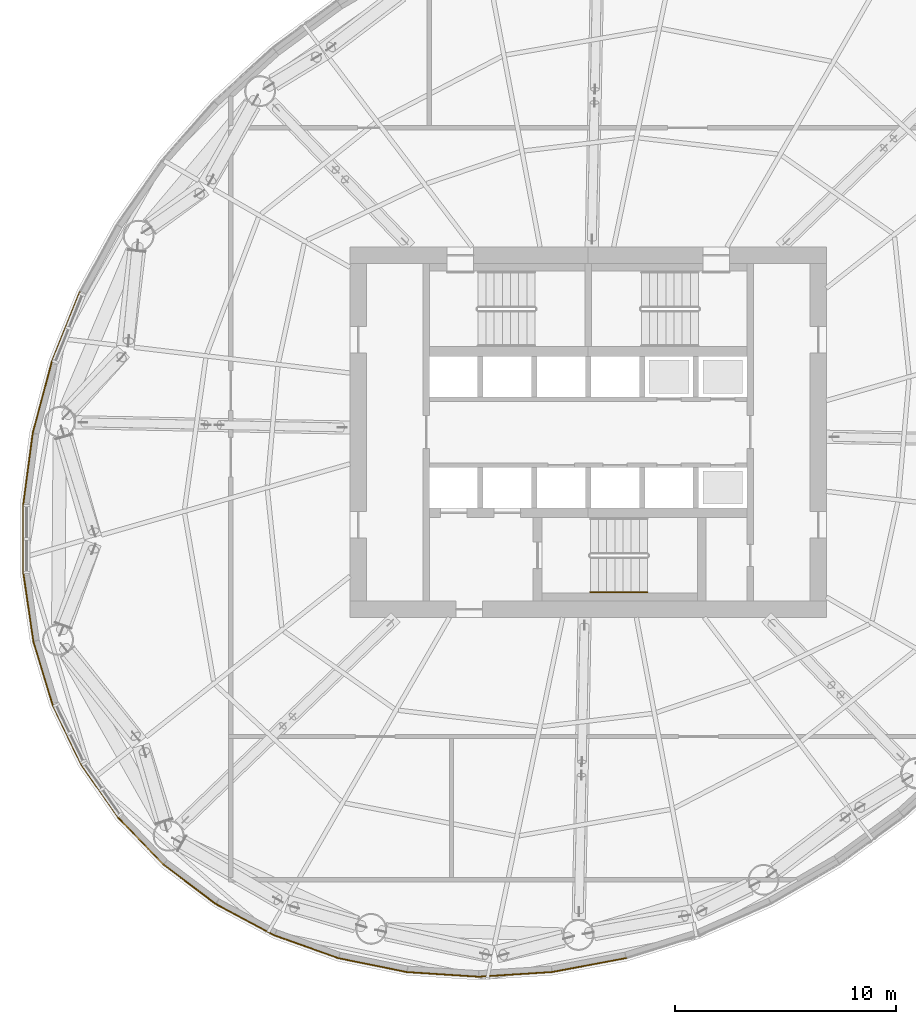
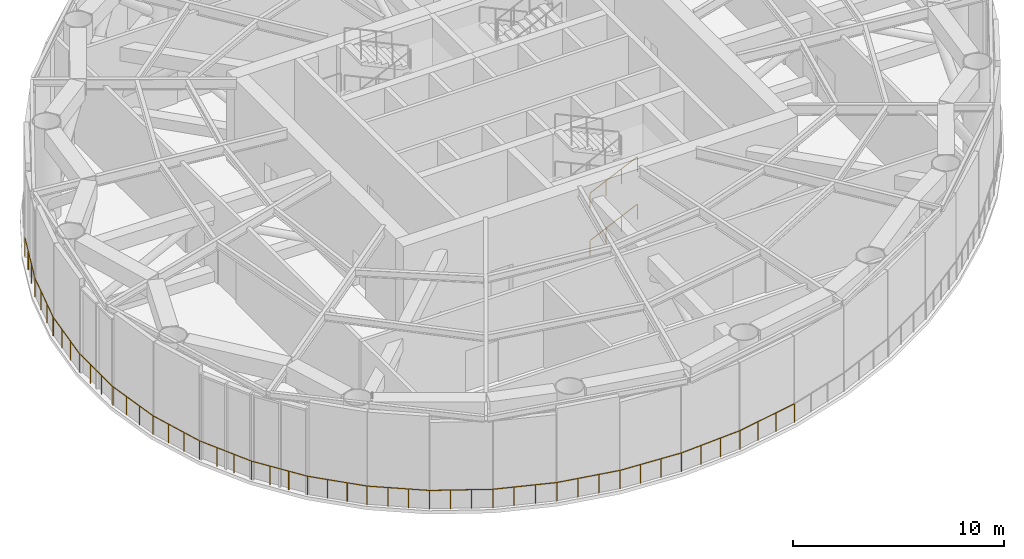
# One storey, part 16 of 19: 6 railings.
"""IFC4 building model written with IfcOpenShell, lengths in metres."""

from ifc_helpers import new_model, si_unit, direction, frame, origin, origin_2d, place, context, subcontext, project, spatial, circle, extrude, material, type_object, element, save


model = new_model("IFC4")

# Units and contexts
model_context = context("Model", 3, precision=1e-05, world=origin(), true_north=direction((0.0, 1.0)))
body_context = subcontext(model_context, "Body", "Model", "MODEL_VIEW")
ifc_project = project(units=[si_unit("LENGTHUNIT", "METRE"), si_unit("AREAUNIT", "SQUARE_METRE"), si_unit("VOLUMEUNIT", "CUBIC_METRE"), si_unit("PLANEANGLEUNIT", "RADIAN"), si_unit("MASSUNIT", "GRAM", prefix="KILO")], contexts=[model_context])

# Site, building, storey
site_placement = place(None, origin())
site = spatial("IfcSite", under=ifc_project, at=site_placement, CompositionType="ELEMENT")
building_placement = place(site_placement, origin())
building = spatial("IfcBuilding", under=site, at=building_placement, Name="Vermilion Reach Broadcast Tower", CompositionType="ELEMENT")
storey_placement = place(building_placement, frame((0.0, 0.0, 190.199951171875)))
storey = spatial("IfcBuildingStorey", under=building, at=storey_placement, Name="L46", CompositionType="ELEMENT", Elevation=190.199951171875)

# Railings
ifc_material_1 = material(Name="Steel guardrail with stainless infill", Category="steel")
railing_type_1 = type_object("IfcRailingType", Name="Open floor guardrail 1100", PredefinedType="GUARDRAIL", material=ifc_material_1)
railing_1_placement = place(storey_placement, frame((-29.050048828125, 6.35400390625, 0.0)))
element("IfcRailing", 1, at=railing_1_placement, inside=storey, type_object=railing_type_1, Name="sp.rail.L46.04", PredefinedType="GUARDRAIL", context=body_context, shape_type="SweptSolid", body=[
    extrude(circle(Radius=0.02490234375, at=origin_2d()), frame((0.0, 0.0, 1.0751953125), z_axis=(-0.373593773767, -0.927592417068, 0.0), x_axis=(0.927592417068, -0.373593773767, 0.0)), (0.0, 0.0, 1.0), 3.41845703125),
    extrude(circle(Radius=0.02490234375, at=origin_2d()), frame((-1.277099609375, -3.1708984375, 1.0751953125), z_axis=(-0.25779013436, -0.966200934913, 0.0), x_axis=(0.966200934913, -0.25779013436, 0.0)), (0.0, 0.0, 1.0), 3.33740234375),
    extrude(circle(Radius=0.02490234375, at=origin_2d()), frame((-2.137451171875, -6.3955078125, 1.0751953125), z_axis=(-0.131932545251, -0.991258696559, 0.0), x_axis=(0.991258696559, -0.131932545251, 0.0)), (0.0, 0.0, 1.0), 3.251220703125),
    extrude(circle(Radius=0.02490234375, at=origin_2d()), frame((-2.56640625, -9.618408203125, 1.0751953125), z_axis=(0.002853165438, -0.999995929715, 0.0), x_axis=(0.999995929715, 0.002853165438, 0.0)), (0.0, 0.0, 1.0), 3.166015625),
    extrude(circle(Radius=0.02490234375, at=origin_2d()), origin(), (0.0, 0.0, 1.0), 1.050048828125),
    extrude(circle(Radius=0.02490234375, at=origin_2d()), frame((-0.42578125, -1.056884765625, 0.0)), (0.0, 0.0, 1.0), 1.050048828125),
    extrude(circle(Radius=0.02490234375, at=origin_2d()), frame((-0.851318359375, -2.114013671875, 0.0)), (0.0, 0.0, 1.0), 1.050048828125),
    extrude(circle(Radius=0.02490234375, at=origin_2d()), frame((-1.277099609375, -3.1708984375, 0.0)), (0.0, 0.0, 1.0), 1.050048828125),
    extrude(circle(Radius=0.02490234375, at=origin_2d()), frame((-1.56396484375, -4.245849609375, 0.0)), (0.0, 0.0, 1.0), 1.050048828125),
    extrude(circle(Radius=0.02490234375, at=origin_2d()), frame((-1.8505859375, -5.320556640625, 0.0)), (0.0, 0.0, 1.0), 1.050048828125),
    extrude(circle(Radius=0.02490234375, at=origin_2d()), frame((-2.137451171875, -6.3955078125, 0.0)), (0.0, 0.0, 1.0), 1.050048828125),
    extrude(circle(Radius=0.02490234375, at=origin_2d()), frame((-2.280517578125, -7.4697265625, 0.0)), (0.0, 0.0, 1.0), 1.050048828125),
    extrude(circle(Radius=0.02490234375, at=origin_2d()), frame((-2.42333984375, -8.544189453125, 0.0)), (0.0, 0.0, 1.0), 1.050048828125),
    extrude(circle(Radius=0.02490234375, at=origin_2d()), frame((-2.56640625, -9.618408203125, 0.0)), (0.0, 0.0, 1.0), 1.050048828125),
    extrude(circle(Radius=0.02490234375, at=origin_2d()), frame((-2.5634765625, -10.673828125, 0.0)), (0.0, 0.0, 1.0), 1.050048828125),
    extrude(circle(Radius=0.02490234375, at=origin_2d()), frame((-2.560302734375, -11.72900390625, 0.0)), (0.0, 0.0, 1.0), 1.050048828125),
    extrude(circle(Radius=0.02490234375, at=origin_2d()), frame((-2.557373046875, -12.784423828125, 0.0)), (0.0, 0.0, 1.0), 1.050048828125),
])
railing_2_placement = place(storey_placement, frame((-31.607421875, -6.430419921875, 0.0)))
element("IfcRailing", 2, at=railing_2_placement, inside=storey, type_object=railing_type_1, Name="sp.rail.L46.05", PredefinedType="GUARDRAIL", context=body_context, shape_type="SweptSolid", body=[
    extrude(circle(Radius=0.02490234375, at=origin_2d()), frame((0.0, 0.0, 1.0751953125), z_axis=(0.144697222494, -0.989475979396, 0.0), x_axis=(0.989475979396, 0.144697222494, 0.0)), (0.0, 0.0, 1.0), 3.087646484375),
    extrude(circle(Radius=0.02490234375, at=origin_2d()), frame((0.44677734375, -3.05517578125, 1.0751953125), z_axis=(0.290052243045, -0.957010813055, 0.0), x_axis=(0.957010813055, 0.290052243045, 0.0)), (0.0, 0.0, 1.0), 3.021728515625),
    extrude(circle(Radius=0.02490234375, at=origin_2d()), frame((1.3232421875, -5.947021484375, 1.0751953125), z_axis=(0.433867442735, -0.900976715645, 0.0), x_axis=(0.900976715645, 0.433867442735, 0.0)), (0.0, 0.0, 1.0), 2.974365234375),
    extrude(circle(Radius=0.02490234375, at=origin_2d()), frame((2.61376953125, -8.626953125, 1.0751953125), z_axis=(0.57050903166, -0.821291327602, 0.0), x_axis=(0.821291327602, 0.57050903166, 0.0)), (0.0, 0.0, 1.0), 2.94970703125),
    extrude(circle(Radius=0.02490234375, at=origin_2d()), origin(), (0.0, 0.0, 1.0), 1.050048828125),
    extrude(circle(Radius=0.02490234375, at=origin_2d()), frame((0.14892578125, -1.018310546875, 0.0)), (0.0, 0.0, 1.0), 1.050048828125),
    extrude(circle(Radius=0.02490234375, at=origin_2d()), frame((0.2978515625, -2.036865234375, 0.0)), (0.0, 0.0, 1.0), 1.050048828125),
    extrude(circle(Radius=0.02490234375, at=origin_2d()), frame((0.44677734375, -3.05517578125, 0.0)), (0.0, 0.0, 1.0), 1.050048828125),
    extrude(circle(Radius=0.02490234375, at=origin_2d()), frame((0.739013671875, -4.01904296875, 0.0)), (0.0, 0.0, 1.0), 1.050048828125),
    extrude(circle(Radius=0.02490234375, at=origin_2d()), frame((1.031005859375, -4.983154296875, 0.0)), (0.0, 0.0, 1.0), 1.050048828125),
    extrude(circle(Radius=0.02490234375, at=origin_2d()), frame((1.3232421875, -5.947021484375, 0.0)), (0.0, 0.0, 1.0), 1.050048828125),
    extrude(circle(Radius=0.02490234375, at=origin_2d()), frame((1.75341796875, -6.84033203125, 0.0)), (0.0, 0.0, 1.0), 1.050048828125),
    extrude(circle(Radius=0.02490234375, at=origin_2d()), frame((2.18359375, -7.733642578125, 0.0)), (0.0, 0.0, 1.0), 1.050048828125),
    extrude(circle(Radius=0.02490234375, at=origin_2d()), frame((2.61376953125, -8.626953125, 0.0)), (0.0, 0.0, 1.0), 1.050048828125),
    extrude(circle(Radius=0.02490234375, at=origin_2d()), frame((3.1748046875, -9.4345703125, 0.0)), (0.0, 0.0, 1.0), 1.050048828125),
    extrude(circle(Radius=0.02490234375, at=origin_2d()), frame((3.735595703125, -10.241943359375, 0.0)), (0.0, 0.0, 1.0), 1.050048828125),
    extrude(circle(Radius=0.02490234375, at=origin_2d()), frame((4.296630859375, -11.049560546875, 0.0)), (0.0, 0.0, 1.0), 1.050048828125),
])
railing_3_placement = place(storey_placement, frame((-27.310791015625, -17.47998046875, 0.0)))
element("IfcRailing", 3, at=railing_3_placement, inside=storey, type_object=railing_type_1, Name="sp.rail.L46.06", PredefinedType="GUARDRAIL", context=body_context, shape_type="SweptSolid", body=[
    extrude(circle(Radius=0.02490234375, at=origin_2d()), frame((0.0, 0.0, 1.0751953125), z_axis=(0.693865929366, -0.720104209171, 0.0), x_axis=(0.720104209171, 0.693865929366, 0.0)), (0.0, 0.0, 1.0), 2.94970703125),
    extrude(circle(Radius=0.02490234375, at=origin_2d()), frame((2.046630859375, -2.1240234375, 1.0751953125), z_axis=(0.798668426366, -0.601771339237, 0.0), x_axis=(0.601771339237, 0.798668426366, 0.0)), (0.0, 0.0, 1.0), 2.974609375),
    extrude(circle(Radius=0.02490234375, at=origin_2d()), frame((4.42236328125, -3.9140625, 1.0751953125), z_axis=(0.881826834215, -0.471573360633, 0.0), x_axis=(0.471573360633, 0.881826834215, 0.0)), (0.0, 0.0, 1.0), 3.02197265625),
    extrude(circle(Radius=0.02490234375, at=origin_2d()), frame((7.087158203125, -5.339111328125, 1.0751953125), z_axis=(0.942058164653, -0.335449570592, 0.0), x_axis=(0.335449570592, 0.942058164653, 0.0)), (0.0, 0.0, 1.0), 3.08740234375),
    extrude(circle(Radius=0.02490234375, at=origin_2d()), origin(), (0.0, 0.0, 1.0), 1.050048828125),
    extrude(circle(Radius=0.02490234375, at=origin_2d()), frame((0.68212890625, -0.7080078125, 0.0)), (0.0, 0.0, 1.0), 1.050048828125),
    extrude(circle(Radius=0.02490234375, at=origin_2d()), frame((1.364501953125, -1.416015625, 0.0)), (0.0, 0.0, 1.0), 1.050048828125),
    extrude(circle(Radius=0.02490234375, at=origin_2d()), frame((2.046630859375, -2.1240234375, 0.0)), (0.0, 0.0, 1.0), 1.050048828125),
    extrude(circle(Radius=0.02490234375, at=origin_2d()), frame((2.838623046875, -2.720703125, 0.0)), (0.0, 0.0, 1.0), 1.050048828125),
    extrude(circle(Radius=0.02490234375, at=origin_2d()), frame((3.63037109375, -3.3173828125, 0.0)), (0.0, 0.0, 1.0), 1.050048828125),
    extrude(circle(Radius=0.02490234375, at=origin_2d()), frame((4.42236328125, -3.9140625, 0.0)), (0.0, 0.0, 1.0), 1.050048828125),
    extrude(circle(Radius=0.02490234375, at=origin_2d()), frame((5.310546875, -4.38916015625, 0.0)), (0.0, 0.0, 1.0), 1.050048828125),
    extrude(circle(Radius=0.02490234375, at=origin_2d()), frame((6.198974609375, -4.864013671875, 0.0)), (0.0, 0.0, 1.0), 1.050048828125),
    extrude(circle(Radius=0.02490234375, at=origin_2d()), frame((7.087158203125, -5.339111328125, 0.0)), (0.0, 0.0, 1.0), 1.050048828125),
    extrude(circle(Radius=0.02490234375, at=origin_2d()), frame((8.056640625, -5.684326171875, 0.0)), (0.0, 0.0, 1.0), 1.050048828125),
    extrude(circle(Radius=0.02490234375, at=origin_2d()), frame((9.026123046875, -6.029541015625, 0.0)), (0.0, 0.0, 1.0), 1.050048828125),
    extrude(circle(Radius=0.02490234375, at=origin_2d()), frame((9.99560546875, -6.374755859375, 0.0)), (0.0, 0.0, 1.0), 1.050048828125),
])
railing_4_placement = place(storey_placement, frame((-17.315185546875, -23.854736328125, 0.0)))
element("IfcRailing", 4, at=railing_4_placement, inside=storey, type_object=railing_type_1, Name="sp.rail.L46.07", PredefinedType="GUARDRAIL", context=body_context, shape_type="SweptSolid", body=[
    extrude(circle(Radius=0.02490234375, at=origin_2d()), frame((0.0, 0.0, 1.0751953125), z_axis=(0.980103264985, -0.198488261532, 0.0), x_axis=(0.198488261532, 0.980103264985, 0.0)), (0.0, 0.0, 1.0), 3.166015625),
    extrude(circle(Radius=0.02490234375, at=origin_2d()), frame((3.10302734375, -0.62841796875, 1.0751953125), z_axis=(0.997917676466, -0.064500472843, 0.0), x_axis=(0.064500472843, 0.997917676466, 0.0)), (0.0, 0.0, 1.0), 3.25146484375),
    extrude(circle(Radius=0.02490234375, at=origin_2d()), frame((6.34765625, -0.838134765625, 1.0751953125), z_axis=(0.997958680357, 0.063862918044, 0.0), x_axis=(-0.063862918044, 0.997958680357, 0.0)), (0.0, 0.0, 1.0), 3.33740234375),
    extrude(circle(Radius=0.02490234375, at=origin_2d()), frame((9.67822265625, -0.625, 1.0751953125), z_axis=(0.982758002506, 0.184896480524, 0.0), x_axis=(-0.184896480524, 0.982758002506, 0.0)), (0.0, 0.0, 1.0), 3.41845703125),
    extrude(circle(Radius=0.02490234375, at=origin_2d()), origin(), (0.0, 0.0, 1.0), 1.050048828125),
    extrude(circle(Radius=0.02490234375, at=origin_2d()), frame((1.034423828125, -0.20947265625, 0.0)), (0.0, 0.0, 1.0), 1.050048828125),
    extrude(circle(Radius=0.02490234375, at=origin_2d()), frame((2.068603515625, -0.4189453125, 0.0)), (0.0, 0.0, 1.0), 1.050048828125),
    extrude(circle(Radius=0.02490234375, at=origin_2d()), frame((3.10302734375, -0.62841796875, 0.0)), (0.0, 0.0, 1.0), 1.050048828125),
    extrude(circle(Radius=0.02490234375, at=origin_2d()), frame((4.1845703125, -0.6982421875, 0.0)), (0.0, 0.0, 1.0), 1.050048828125),
    extrude(circle(Radius=0.02490234375, at=origin_2d()), frame((5.26611328125, -0.768310546875, 0.0)), (0.0, 0.0, 1.0), 1.050048828125),
    extrude(circle(Radius=0.02490234375, at=origin_2d()), frame((6.34765625, -0.838134765625, 0.0)), (0.0, 0.0, 1.0), 1.050048828125),
    extrude(circle(Radius=0.02490234375, at=origin_2d()), frame((7.457763671875, -0.76708984375, 0.0)), (0.0, 0.0, 1.0), 1.050048828125),
    extrude(circle(Radius=0.02490234375, at=origin_2d()), frame((8.568115234375, -0.696044921875, 0.0)), (0.0, 0.0, 1.0), 1.050048828125),
    extrude(circle(Radius=0.02490234375, at=origin_2d()), frame((9.67822265625, -0.625, 0.0)), (0.0, 0.0, 1.0), 1.050048828125),
    extrude(circle(Radius=0.02490234375, at=origin_2d()), frame((10.798095703125, -0.414306640625, 0.0)), (0.0, 0.0, 1.0), 1.050048828125),
    extrude(circle(Radius=0.02490234375, at=origin_2d()), frame((11.91796875, -0.20361328125, 0.0)), (0.0, 0.0, 1.0), 1.050048828125),
    extrude(circle(Radius=0.02490234375, at=origin_2d()), frame((13.037841796875, 0.007080078125, 0.0)), (0.0, 0.0, 1.0), 1.050048828125),
])
ifc_material_2 = material(Name="Stainless steel", Category="steel")
railing_type_2 = type_object("IfcRailingType", Name="Stair handrail", PredefinedType="HANDRAIL", material=ifc_material_2)
for number, where, name in (
    (5, (-5.89990234375, -7.25, 0.171875), "L46 ST3 stair handrail 1"),
    (6, (-5.89990234375, -7.25, 2.921875), "L46 ST3 stair handrail 3"),
):
    element("IfcRailing", number, at=place(storey_placement, frame(where)), inside=storey, type_object=railing_type_2, Name=name, PredefinedType="HANDRAIL", context=body_context, shape_type="SweptSolid", body=[
        extrude(circle(Radius=0.02392578125, at=origin_2d()), frame((0.0, 0.0, 0.8759765625), z_axis=(0.906915647168, 0.0, 0.421312246347), x_axis=(0.0, 1.0, 0.0)), (0.0, 0.0, 1.0), 2.855712890625),
        extrude(circle(Radius=0.02099609375, at=origin_2d()), origin(), (0.0, 0.0, 1.0), 0.851806640625),
        extrude(circle(Radius=0.02099609375, at=origin_2d()), frame((0.86328125, 0.0, 0.401123046875)), (0.0, 0.0, 1.0), 0.851806640625),
        extrude(circle(Radius=0.02099609375, at=origin_2d()), frame((1.7265625, 0.0, 0.802001953125)), (0.0, 0.0, 1.0), 0.851806640625),
        extrude(circle(Radius=0.02099609375, at=origin_2d()), frame((2.58984375, 0.0, 1.203125)), (0.0, 0.0, 1.0), 0.851806640625),
    ])

save(model, "model.ifc")
